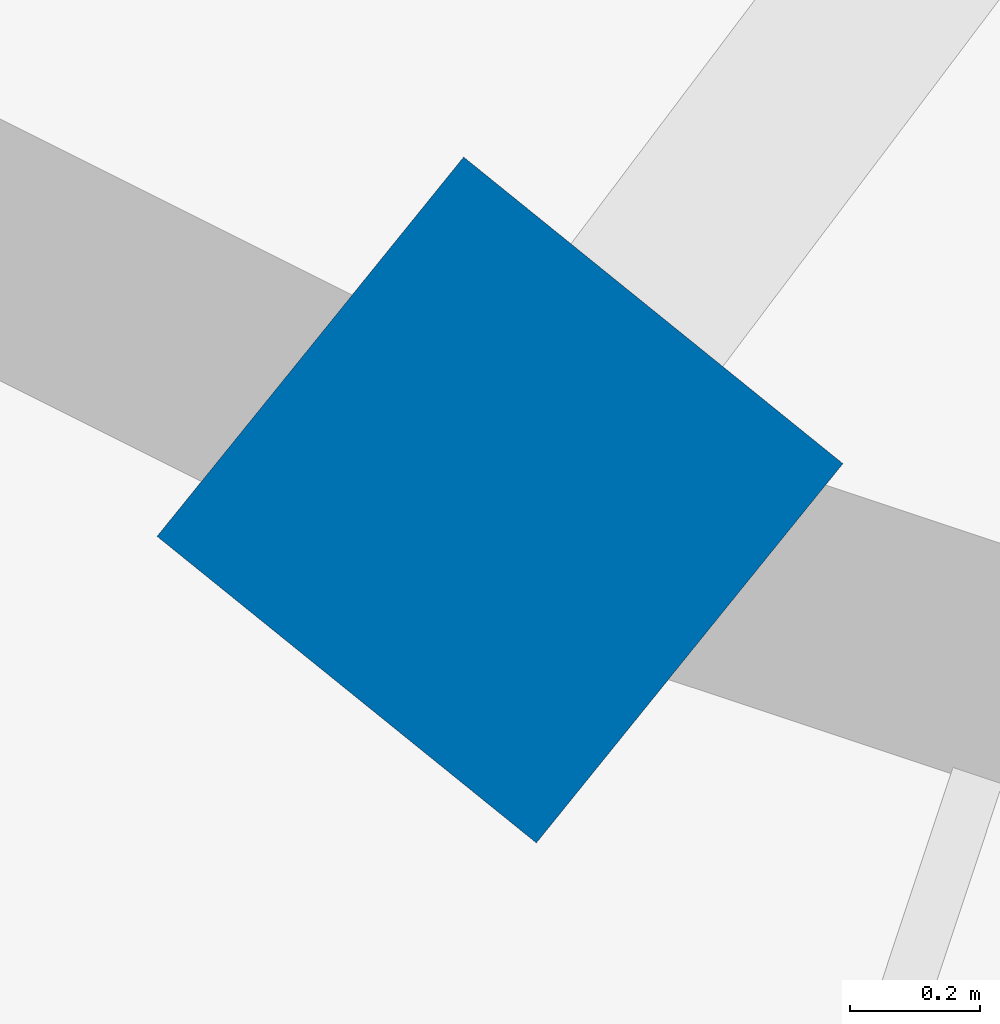
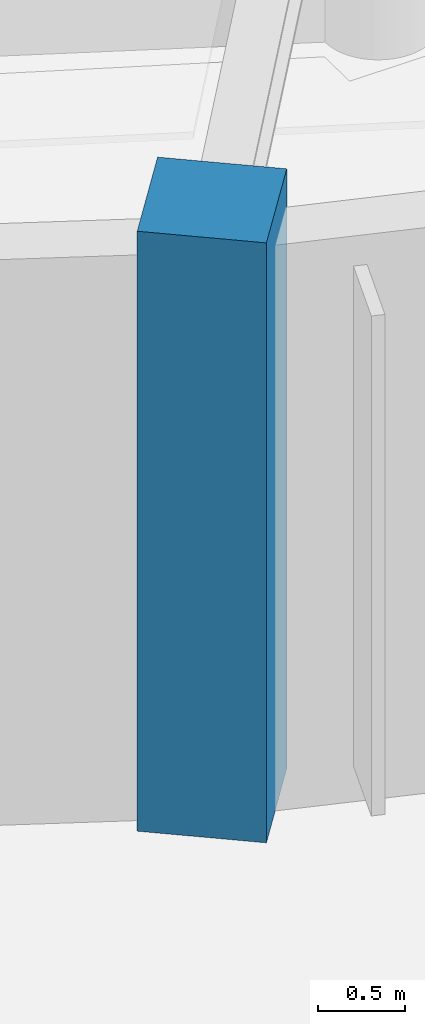
# One storey, part 1 of 63: 1 column.
"""IFC4 building model written with IfcOpenShell, lengths in metres."""

from ifc_helpers import new_model, si_unit, direction, frame, origin, origin_2d, place, context, subcontext, project, spatial, rectangle, extrude, material, material_profile, profile_set, type_object, element, save


model = new_model("IFC4")

# Units and contexts
model_context = context("Model", 3, precision=1e-05, world=origin(), true_north=direction((0.0, 1.0)))
body_context = subcontext(model_context, "Body", "Model", "MODEL_VIEW")
ifc_project = project(units=[si_unit("LENGTHUNIT", "METRE"), si_unit("AREAUNIT", "SQUARE_METRE"), si_unit("VOLUMEUNIT", "CUBIC_METRE"), si_unit("PLANEANGLEUNIT", "RADIAN"), si_unit("MASSUNIT", "GRAM", prefix="KILO")], contexts=[model_context])

# Site, building, storey
site_placement = place(None, origin())
site = spatial("IfcSite", under=ifc_project, at=site_placement, CompositionType="ELEMENT")
building_placement = place(site_placement, origin())
building = spatial("IfcBuilding", under=site, at=building_placement, Name="Tarnveldt Headland Concert Hall", CompositionType="ELEMENT")
storey_placement = place(building_placement, frame((0.0, 0.0, 14.39990234375)))
storey = spatial("IfcBuildingStorey", under=building, at=storey_placement, Name="L03", CompositionType="ELEMENT", Elevation=14.39990234375)

# Column
ifc_material = material(Name="Concrete C40/50", Category="concrete")
ifc_material_profile = material_profile(ifc_material, rectangle(XDim=0.75, YDim=0.75, at=origin_2d()), Name="RC 750x750", Category="concrete")
ifc_profile_set = profile_set([ifc_material_profile], Name="Concrete C40/50")
column_type = type_object("IfcColumnType", Name="CC-750", PredefinedType="COLUMN", material=ifc_profile_set)
column_placement = place(storey_placement, frame((69.5, 37.179443359375, 0.0), z_axis=(0.0, 0.0, 1.0), x_axis=(-0.628641963719, -0.777694851116, 0.0)))
element("IfcColumn", 1, at=column_placement, inside=storey, type_object=column_type, Name="Column V2DC13 L03", PredefinedType="COLUMN", context=body_context, shape_type="SweptSolid", body=[
    extrude(rectangle(XDim=0.75, YDim=0.75, at=origin_2d()), origin(), (0.0, 0.0, 1.0), 4.2001953125),
])

save(model, "model.ifc")
